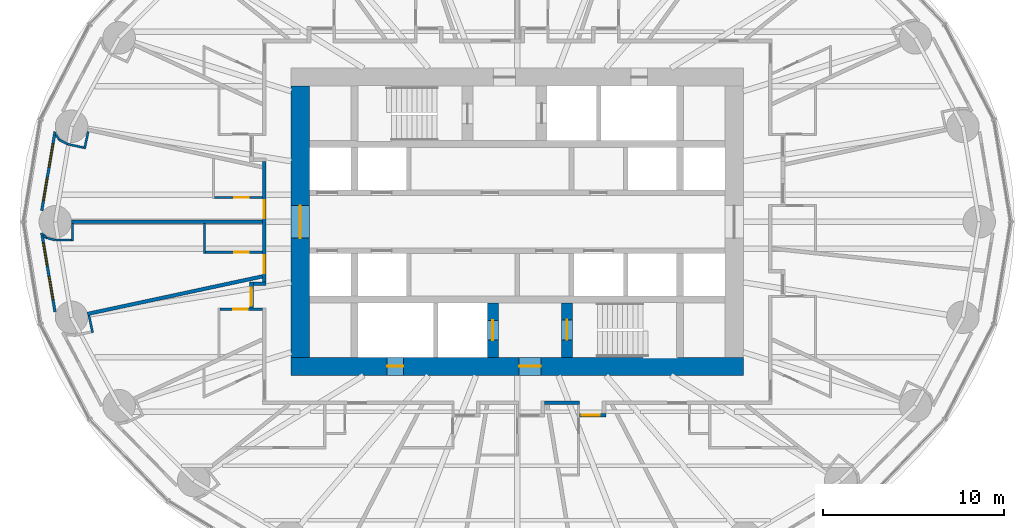
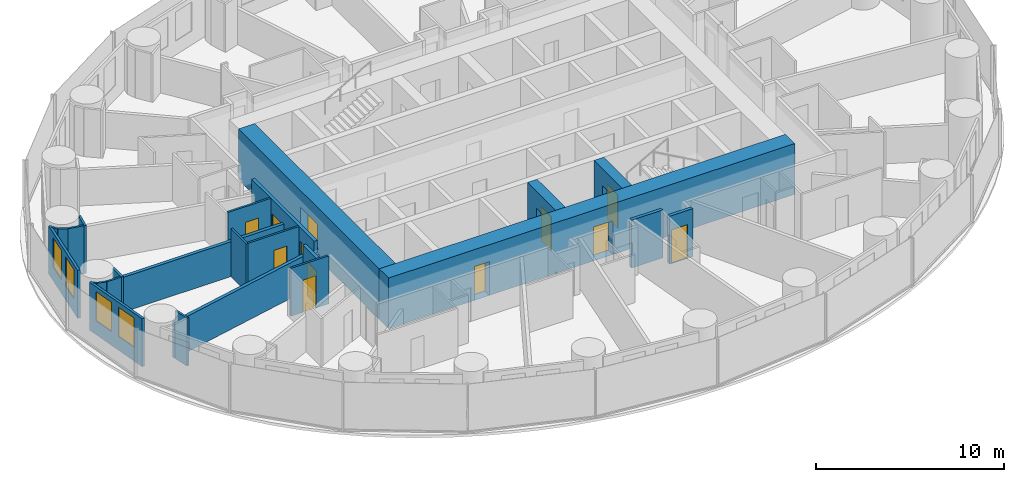
# One storey, part 7 of 14: 26 walls, 12 doors, 4 windows, 16 openings.
"""IFC4 building model written with IfcOpenShell, lengths in metres."""

from ifc_helpers import new_model, si_unit, direction, frame, frame_2d, origin, place, context, subcontext, project, spatial, rectangle, extrude, material, layer, layer_set, type_object, element, fill, save


model = new_model("IFC4")

# Units and contexts
model_context = context("Model", 3, precision=1e-05, world=origin(), true_north=direction((0.0, 1.0)))
body_context = subcontext(model_context, "Body", "Model", "MODEL_VIEW")
ifc_project = project(units=[si_unit("LENGTHUNIT", "METRE"), si_unit("AREAUNIT", "SQUARE_METRE"), si_unit("VOLUMEUNIT", "CUBIC_METRE"), si_unit("PLANEANGLEUNIT", "RADIAN"), si_unit("MASSUNIT", "GRAM", prefix="KILO")], contexts=[model_context])

# Site, building, storey
site_placement = place(None, origin())
site = spatial("IfcSite", under=ifc_project, at=site_placement, CompositionType="ELEMENT")
building_placement = place(site_placement, origin())
building = spatial("IfcBuilding", under=site, at=building_placement, Name="Hankou Lantern Tower", CompositionType="ELEMENT")
storey_placement = place(building_placement, frame((0.0, 0.0, 36.0)))
storey = spatial("IfcBuildingStorey", under=building, at=storey_placement, Name="L07", CompositionType="ELEMENT", Elevation=36.0)

# Wall, openings, doors
ifc_material_1 = material(Name="Concrete C60", Category="concrete")
ifc_layer_1 = layer(ifc_material_1, 1.0)
ifc_layer_set_1 = layer_set([ifc_layer_1], Name="Concrete C60")
wall_type_1 = type_object("IfcWallType", Name="CW1 CORE WALL 1000", PredefinedType="SHEAR", material=ifc_layer_set_1)
wall_1_placement = place(storey_placement, frame((12.5, -8.0, 0.0), z_axis=(0.0, 0.0, 1.0), x_axis=(-1.0, 0.0, 0.0)))
wall_1 = element("IfcWall", 1, at=wall_1_placement, inside=storey, type_object=wall_type_1, Name="Core wall south L07", PredefinedType="SHEAR", context=body_context, shape_type="SweptSolid", body=[
    extrude(rectangle(XDim=25.0, YDim=1.0, at=frame_2d((12.5, 0.0))), origin(), (0.0, 0.0, 1.0), 3.300048828125),
])
opening_1_placement = place(wall_1_placement, frame((11.199951171875, 0.0, 0.0)))
opening_1 = element("IfcOpeningElement", 2, at=opening_1_placement, cuts=wall_1, Name="Opening D5", PredefinedType="OPENING", context=body_context, shape_type="SweptSolid", body=[
    extrude(rectangle(XDim=1.199951171875, YDim=2.199951171875, at=frame_2d((0.60009765625, 1.10009765625))), frame((0.0, 0.510009765625, 0.0), z_axis=(0.0, -1.0, 0.0), x_axis=(1.0, 0.0, 0.0)), (0.0, 0.0, 1.0), 1.02001953125),
])
opening_2_placement = place(wall_1_placement, frame((18.800048828125, 0.0, 0.0)))
opening_2 = element("IfcOpeningElement", 3, at=opening_2_placement, cuts=wall_1, Name="Opening D7", PredefinedType="OPENING", context=body_context, shape_type="SweptSolid", body=[
    extrude(rectangle(XDim=0.89990234375, YDim=2.199951171875, at=frame_2d((0.449951171875, 1.10009765625))), frame((0.0, 0.510009765625, 0.0), z_axis=(0.0, -1.0, 0.0), x_axis=(1.0, 0.0, 0.0)), (0.0, 0.0, 1.0), 1.02001953125),
])
ifc_material_2 = material(Name="Steel door leaf", Category="steel")
door_type_1 = type_object("IfcDoorType", Name="D5 STAIR LOBBY DOOR 1200X2200", OperationType="SINGLE_SWING_LEFT", PredefinedType="DOOR", material=ifc_material_2)
door_1_placement = place(opening_1_placement, origin())
door_1 = element("IfcDoor", 4, at=door_1_placement, inside=storey, type_object=door_type_1, Name="Stair B lobby door", OperationType="SINGLE_SWING_LEFT", OverallHeight=2.199951171875, OverallWidth=1.199951171875, PredefinedType="DOOR", context=body_context, shape_type="SweptSolid", body=[
    extrude(rectangle(XDim=1.199951171875, YDim=2.199951171875, at=frame_2d((0.60009765625, 1.10009765625))), frame((0.0, 0.02490234375, 0.0), z_axis=(0.0, -1.0, 0.0), x_axis=(1.0, 0.0, 0.0)), (0.0, 0.0, 1.0), 0.050048828125),
])
fill(opening_1, door_1)
ifc_material_3 = material(Name="Steel door leaf", Category="steel")
door_type_2 = type_object("IfcDoorType", Name="D7 RISER DOOR 900X2200", OperationType="SINGLE_SWING_LEFT", PredefinedType="DOOR", material=ifc_material_3)
door_2_placement = place(opening_2_placement, origin())
door_2 = element("IfcDoor", 5, at=door_2_placement, inside=storey, type_object=door_type_2, Name="Riser S1 door", OperationType="SINGLE_SWING_RIGHT", OverallHeight=2.199951171875, OverallWidth=0.89990234375, PredefinedType="DOOR", context=body_context, shape_type="SweptSolid", body=[
    extrude(rectangle(XDim=0.89990234375, YDim=2.199951171875, at=frame_2d((0.449951171875, 1.10009765625))), frame((0.0, 0.02490234375, 0.0), z_axis=(0.0, -1.0, 0.0), x_axis=(1.0, 0.0, 0.0)), (0.0, 0.0, 1.0), 0.050048828125),
])
fill(opening_2, door_2)

# Wall, opening, door
wall_2_placement = place(storey_placement, frame((-12.0, 7.5, 0.0), z_axis=(0.0, 0.0, 1.0), x_axis=(0.0, -1.0, 0.0)))
wall_2 = element("IfcWall", 6, at=wall_2_placement, inside=storey, type_object=wall_type_1, Name="Core wall west L07", PredefinedType="SHEAR", context=body_context, shape_type="SweptSolid", body=[
    extrude(rectangle(XDim=15.0, YDim=1.0, at=frame_2d((7.5, 0.0))), origin(), (0.0, 0.0, 1.0), 3.300048828125),
])
opening_3_placement = place(wall_2_placement, frame((6.60009765625, 0.0, 0.0)))
opening_3 = element("IfcOpeningElement", 7, at=opening_3_placement, cuts=wall_2, Name="Opening D6", PredefinedType="OPENING", context=body_context, shape_type="SweptSolid", body=[
    extrude(rectangle(XDim=1.800048828125, YDim=2.199951171875, at=frame_2d((0.89990234375, 1.10009765625))), frame((0.0, 0.510009765625, 0.0), z_axis=(0.0, -1.0, 0.0), x_axis=(1.0, 0.0, 0.0)), (0.0, 0.0, 1.0), 1.02001953125),
])
ifc_material_4 = material(Name="Steel door leaf", Category="steel")
door_type_3 = type_object("IfcDoorType", Name="D6 LIFT LOBBY DOOR 1800X2200", OperationType="DOUBLE_DOOR_DOUBLE_SWING", PredefinedType="DOOR", material=ifc_material_4)
door_3_placement = place(opening_3_placement, origin())
door_3 = element("IfcDoor", 8, at=door_3_placement, inside=storey, type_object=door_type_3, Name="Lift lobby west door", OperationType="DOUBLE_DOOR_DOUBLE_SWING", OverallHeight=2.199951171875, OverallWidth=1.800048828125, PredefinedType="DOOR", context=body_context, shape_type="SweptSolid", body=[
    extrude(rectangle(XDim=1.800048828125, YDim=2.199951171875, at=frame_2d((0.89990234375, 1.10009765625))), frame((0.0, 0.02490234375, 0.0), z_axis=(0.0, -1.0, 0.0), x_axis=(1.0, 0.0, 0.0)), (0.0, 0.0, 1.0), 0.050048828125),
])
fill(opening_3, door_3)

ifc_material_5 = material(Name="Concrete C60", Category="concrete")
ifc_layer_2 = layer(ifc_material_5, 0.60009765625)
ifc_layer_set_2 = layer_set([ifc_layer_2], Name="Concrete C60")
wall_type_2 = type_object("IfcWallType", Name="CW6 STAIR AND SHAFT WALL 600", PredefinedType="SHEAR", material=ifc_layer_set_2)
wall_3_placement = place(storey_placement, frame((2.75, -7.5, 0.0), z_axis=(0.0, 0.0, 1.0), x_axis=(0.0, 1.0, 0.0)))
wall_3 = element("IfcWall", 9, at=wall_3_placement, inside=storey, type_object=wall_type_2, Name="Stair wall L07", PredefinedType="SHEAR", context=body_context, shape_type="SweptSolid", body=[
    extrude(rectangle(XDim=3.0, YDim=0.60009765625, at=frame_2d((1.5, 0.0))), origin(), (0.0, 0.0, 1.0), 3.300048828125),
])
opening_4_placement = place(wall_3_placement, frame((0.97509765625, 0.0, 0.0)))
opening_4 = element("IfcOpeningElement", 10, at=opening_4_placement, cuts=wall_3, Name="Opening D4", PredefinedType="OPENING", context=body_context, shape_type="SweptSolid", body=[
    extrude(rectangle(XDim=1.10009765625, YDim=2.199951171875, at=frame_2d((0.550048828125, 1.10009765625))), frame((0.0, 0.31005859375, 0.0), z_axis=(0.0, -1.0, 0.0), x_axis=(1.0, 0.0, 0.0)), (0.0, 0.0, 1.0), 0.6201171875),
])
ifc_material_6 = material(Name="Steel door leaf", Category="steel")
door_type_4 = type_object("IfcDoorType", Name="D4 STAIR DOOR 1100X2200", OperationType="SINGLE_SWING_LEFT", PredefinedType="DOOR", material=ifc_material_6)
door_4_placement = place(opening_4_placement, origin())
door_4 = element("IfcDoor", 11, at=door_4_placement, inside=storey, type_object=door_type_4, Name="Stair B door", OperationType="SINGLE_SWING_RIGHT", OverallHeight=2.199951171875, OverallWidth=1.10009765625, PredefinedType="DOOR", context=body_context, shape_type="SweptSolid", body=[
    extrude(rectangle(XDim=1.10009765625, YDim=2.199951171875, at=frame_2d((0.550048828125, 1.10009765625))), frame((0.0, 0.02490234375, 0.0), z_axis=(0.0, -1.0, 0.0), x_axis=(1.0, 0.0, 0.0)), (0.0, 0.0, 1.0), 0.050048828125),
])
fill(opening_4, door_4)

wall_4_placement = place(storey_placement, frame((-1.35009765625, -7.5, 0.0), z_axis=(0.0, 0.0, 1.0), x_axis=(0.0, 1.0, 0.0)))
wall_4 = element("IfcWall", 12, at=wall_4_placement, inside=storey, type_object=wall_type_2, Name="Firefighting lift shaft wall L07", PredefinedType="SHEAR", context=body_context, shape_type="SweptSolid", body=[
    extrude(rectangle(XDim=3.0, YDim=0.60009765625, at=frame_2d((1.5, 0.0))), origin(), (0.0, 0.0, 1.0), 3.300048828125),
])
opening_5_placement = place(wall_4_placement, frame((0.949951171875, 0.0, 0.0)))
opening_5 = element("IfcOpeningElement", 13, at=opening_5_placement, cuts=wall_4, Name="Opening LD2", PredefinedType="OPENING", context=body_context, shape_type="SweptSolid", body=[
    extrude(rectangle(XDim=1.10009765625, YDim=2.199951171875, at=frame_2d((0.550048828125, 1.10009765625))), frame((0.0, 0.31005859375, 0.0), z_axis=(0.0, -1.0, 0.0), x_axis=(1.0, 0.0, 0.0)), (0.0, 0.0, 1.0), 0.6201171875),
])
ifc_material_7 = material(Name="Steel door leaf", Category="steel")
door_type_5 = type_object("IfcDoorType", Name="LD2 FIREFIGHTING LIFT LANDING DOOR 1100X2200", OperationType="DOUBLE_DOOR_SLIDING", PredefinedType="DOOR", material=ifc_material_7)
door_5_placement = place(opening_5_placement, origin())
door_5 = element("IfcDoor", 14, at=door_5_placement, inside=storey, type_object=door_type_5, Name="Firefighting lift FL2 landing door", OperationType="DOUBLE_DOOR_SLIDING", OverallHeight=2.199951171875, OverallWidth=1.10009765625, PredefinedType="DOOR", context=body_context, shape_type="SweptSolid", body=[
    extrude(rectangle(XDim=1.10009765625, YDim=2.199951171875, at=frame_2d((0.550048828125, 1.10009765625))), frame((0.0, 0.02490234375, 0.0), z_axis=(0.0, -1.0, 0.0), x_axis=(1.0, 0.0, 0.0)), (0.0, 0.0, 1.0), 0.050048828125),
])
fill(opening_5, door_5)

# Wall, openings, windows
ifc_material_8 = material(Name="Aluminium spandrel panel on steel studs", Category="steel")
ifc_layer_3 = layer(ifc_material_8, 0.14990234375)
ifc_layer_set_3 = layer_set([ifc_layer_3], Name="Aluminium spandrel panel on steel studs")
wall_type_3 = type_object("IfcWallType", Name="EW1 INNER SKIN WALL 150", PredefinedType="ELEMENTEDWALL", material=ifc_layer_set_3)
wall_5_placement = place(storey_placement, frame((-25.56396484375, 4.9775390625, 0.0), z_axis=(0.0, 0.0, 1.0), x_axis=(-0.165641751141, -0.986185991727, 0.0)))
wall_5 = element("IfcWall", 15, at=wall_5_placement, inside=storey, type_object=wall_type_3, Name="Inner skin R12-R13 L07", PredefinedType="ELEMENTEDWALL", context=body_context, shape_type="SweptSolid", body=[
    extrude(rectangle(XDim=4.427734375, YDim=0.14990234375, at=frame_2d((2.2138671875, 0.0))), origin(), (0.0, 0.0, 1.0), 3.1201171875),
])
opening_6_placement = place(wall_5_placement, frame((0.677734375, 0.0, 0.89990234375)))
opening_6 = element("IfcOpeningElement", 16, at=opening_6_placement, cuts=wall_5, Name="Opening W9", PredefinedType="OPENING", context=body_context, shape_type="SweptSolid", body=[
    extrude(rectangle(XDim=1.300048828125, YDim=1.89990234375, at=frame_2d((0.64990234375, 0.949951171875))), frame((0.0, 0.0849609375, 0.0), z_axis=(0.0, -1.0, 0.0), x_axis=(1.0, 0.0, 0.0)), (0.0, 0.0, 1.0), 0.169921875),
])
opening_7_placement = place(wall_5_placement, frame((2.57763671875, 0.0, 0.89990234375)))
opening_7 = element("IfcOpeningElement", 17, at=opening_7_placement, cuts=wall_5, Name="Opening W9", PredefinedType="OPENING", context=body_context, shape_type="SweptSolid", body=[
    extrude(rectangle(XDim=1.300048828125, YDim=1.89990234375, at=frame_2d((0.64990234375, 0.949951171875))), frame((0.0, 0.0849609375, 0.0), z_axis=(0.0, -1.0, 0.0), x_axis=(1.0, 0.0, 0.0)), (0.0, 0.0, 1.0), 0.169921875),
])
ifc_material_9 = material(Name="Aluminium framed double glazed window", Category="aluminium")
window_type = type_object("IfcWindowType", Name="W9 GUEST ROOM WINDOW 1300X1900", PartitioningType="DOUBLE_PANEL_VERTICAL", PredefinedType="WINDOW", material=ifc_material_9)
window_1_placement = place(opening_6_placement, origin())
window_1 = element("IfcWindow", 18, at=window_1_placement, inside=storey, type_object=window_type, Name="Window R12.1 L07", OverallHeight=1.89990234375, OverallWidth=1.300048828125, PartitioningType="SINGLE_PANEL", PredefinedType="WINDOW", context=body_context, shape_type="SweptSolid", body=[
    extrude(rectangle(XDim=1.300048828125, YDim=1.89990234375, at=frame_2d((0.64990234375, 0.949951171875))), frame((0.0, 0.030029296875, 0.0), z_axis=(0.0, -1.0, 0.0), x_axis=(1.0, 0.0, 0.0)), (0.0, 0.0, 1.0), 0.06005859375),
])
fill(opening_6, window_1)
window_2_placement = place(opening_7_placement, origin())
window_2 = element("IfcWindow", 19, at=window_2_placement, inside=storey, type_object=window_type, Name="Window R12.2 L07", OverallHeight=1.89990234375, OverallWidth=1.300048828125, PartitioningType="SINGLE_PANEL", PredefinedType="WINDOW", context=body_context, shape_type="SweptSolid", body=[
    extrude(rectangle(XDim=1.300048828125, YDim=1.89990234375, at=frame_2d((0.64990234375, 0.949951171875))), frame((0.0, 0.030029296875, 0.0), z_axis=(0.0, -1.0, 0.0), x_axis=(1.0, 0.0, 0.0)), (0.0, 0.0, 1.0), 0.06005859375),
])
fill(opening_7, window_2)

wall_6_placement = place(storey_placement, frame((-26.29736328125, -0.611083984375, 0.0), z_axis=(0.0, 0.0, 1.0), x_axis=(0.165641751141, -0.986185991727, 0.0)))
wall_6 = element("IfcWall", 20, at=wall_6_placement, inside=storey, type_object=wall_type_3, Name="Inner skin R13-R14 L07", PredefinedType="ELEMENTEDWALL", context=body_context, shape_type="SweptSolid", body=[
    extrude(rectangle(XDim=4.427734375, YDim=0.14990234375, at=frame_2d((2.2138671875, 0.0))), origin(), (0.0, 0.0, 1.0), 3.1201171875),
])
opening_8_placement = place(wall_6_placement, frame((0.5498046875, 0.0, 0.89990234375)))
opening_8 = element("IfcOpeningElement", 21, at=opening_8_placement, cuts=wall_6, Name="Opening W9", PredefinedType="OPENING", context=body_context, shape_type="SweptSolid", body=[
    extrude(rectangle(XDim=1.300048828125, YDim=1.89990234375, at=frame_2d((0.64990234375, 0.949951171875))), frame((0.0, 0.0849609375, 0.0), z_axis=(0.0, -1.0, 0.0), x_axis=(1.0, 0.0, 0.0)), (0.0, 0.0, 1.0), 0.169921875),
])
opening_9_placement = place(wall_6_placement, frame((2.44970703125, 0.0, 0.89990234375)))
opening_9 = element("IfcOpeningElement", 22, at=opening_9_placement, cuts=wall_6, Name="Opening W9", PredefinedType="OPENING", context=body_context, shape_type="SweptSolid", body=[
    extrude(rectangle(XDim=1.300048828125, YDim=1.89990234375, at=frame_2d((0.64990234375, 0.949951171875))), frame((0.0, 0.0849609375, 0.0), z_axis=(0.0, -1.0, 0.0), x_axis=(1.0, 0.0, 0.0)), (0.0, 0.0, 1.0), 0.169921875),
])
window_3_placement = place(opening_8_placement, origin())
window_3 = element("IfcWindow", 23, at=window_3_placement, inside=storey, type_object=window_type, Name="Window R13.1 L07", OverallHeight=1.89990234375, OverallWidth=1.300048828125, PartitioningType="SINGLE_PANEL", PredefinedType="WINDOW", context=body_context, shape_type="SweptSolid", body=[
    extrude(rectangle(XDim=1.300048828125, YDim=1.89990234375, at=frame_2d((0.64990234375, 0.949951171875))), frame((0.0, 0.030029296875, 0.0), z_axis=(0.0, -1.0, 0.0), x_axis=(1.0, 0.0, 0.0)), (0.0, 0.0, 1.0), 0.06005859375),
])
fill(opening_8, window_3)
window_4_placement = place(opening_9_placement, origin())
window_4 = element("IfcWindow", 24, at=window_4_placement, inside=storey, type_object=window_type, Name="Window R13.2 L07", OverallHeight=1.89990234375, OverallWidth=1.300048828125, PartitioningType="SINGLE_PANEL", PredefinedType="WINDOW", context=body_context, shape_type="SweptSolid", body=[
    extrude(rectangle(XDim=1.300048828125, YDim=1.89990234375, at=frame_2d((0.64990234375, 0.949951171875))), frame((0.0, 0.030029296875, 0.0), z_axis=(0.0, -1.0, 0.0), x_axis=(1.0, 0.0, 0.0)), (0.0, 0.0, 1.0), 0.06005859375),
])
fill(opening_9, window_4)

# Walls
ifc_material_10 = material(Name="Masonry lightweight concrete block", Category="masonry")
ifc_layer_4 = layer(ifc_material_10, 0.199951171875)
ifc_layer_set_4 = layer_set([ifc_layer_4], Name="Masonry lightweight concrete block")
wall_type_4 = type_object("IfcWallType", Name="IW1 GUEST ROOM PARTY WALL 200", PredefinedType="PARTITIONING", material=ifc_layer_set_4)
wall_7_placement = place(storey_placement, frame((-14.10009765625, 0.0, 0.0), z_axis=(0.0, 0.0, 1.0), x_axis=(-1.0, 0.0, 0.0)))
element("IfcWall", 25, at=wall_7_placement, inside=storey, type_object=wall_type_4, Name="Party wall R13", PredefinedType="PARTITIONING", context=body_context, shape_type="SweptSolid", body=[
    extrude(rectangle(XDim=10.5498046875, YDim=0.199951171875, at=frame_2d((5.27490234375, 0.0))), origin(), (0.0, 0.0, 1.0), 2.27001953125),
])
wall_8_placement = place(storey_placement, frame((-14.10009765625, -3.0224609375, 0.0), z_axis=(0.0, 0.0, 1.0), x_axis=(-0.977786510688, -0.209603290805, 0.0)))
element("IfcWall", 26, at=wall_8_placement, inside=storey, type_object=wall_type_4, Name="Party wall R14", PredefinedType="PARTITIONING", context=body_context, shape_type="SweptSolid", body=[
    extrude(rectangle(XDim=9.88671875, YDim=0.199951171875, at=frame_2d((4.943359375, 0.0))), origin(), (0.0, 0.0, 1.0), 2.320068359375),
])

# Wall, opening, door
ifc_material_11 = material(Name="Masonry lightweight concrete block", Category="masonry")
ifc_layer_5 = layer(ifc_material_11, 0.199951171875)
ifc_layer_set_5 = layer_set([ifc_layer_5], Name="Masonry lightweight concrete block")
wall_type_5 = type_object("IfcWallType", Name="IW2 CORRIDOR WALL 200", PredefinedType="PARTITIONING", material=ifc_layer_set_5)
wall_9_placement = place(storey_placement, frame((-14.699951171875, -3.33251953125, 0.0), z_axis=(0.0, 0.0, 1.0), x_axis=(0.0, -1.0, 0.0)))
wall_9 = element("IfcWall", 27, at=wall_9_placement, inside=storey, type_object=wall_type_5, Name="Corridor recess wall 0716 back", PredefinedType="PARTITIONING", context=body_context, shape_type="SweptSolid", body=[
    extrude(rectangle(XDim=1.43994140625, YDim=0.199951171875, at=frame_2d((0.719970703125, 0.0))), origin(), (0.0, 0.0, 1.0), 3.1201171875),
])
opening_10_placement = place(wall_9_placement, frame((0.320068359375, 0.0, 0.0)))
opening_10 = element("IfcOpeningElement", 28, at=opening_10_placement, cuts=wall_9, Name="Opening D1", PredefinedType="OPENING", context=body_context, shape_type="SweptSolid", body=[
    extrude(rectangle(XDim=1.0, YDim=2.199951171875, at=frame_2d((0.5, 1.10009765625))), frame((0.0, 0.10986328125, 0.0), z_axis=(0.0, -1.0, 0.0), x_axis=(1.0, 0.0, 0.0)), (0.0, 0.0, 1.0), 0.219970703125),
])
ifc_material_12 = material(Name="Steel door leaf", Category="steel")
door_type_6 = type_object("IfcDoorType", Name="D1 GUEST ROOM DOOR 1000X2200", OperationType="SINGLE_SWING_LEFT", PredefinedType="DOOR", material=ifc_material_12)
door_6_placement = place(opening_10_placement, origin())
door_6 = element("IfcDoor", 29, at=door_6_placement, inside=storey, type_object=door_type_6, Name="Guest room door 0716", OperationType="SINGLE_SWING_RIGHT", OverallHeight=2.199951171875, OverallWidth=1.0, PredefinedType="DOOR", context=body_context, shape_type="SweptSolid", body=[
    extrude(rectangle(XDim=1.0, YDim=2.199951171875, at=frame_2d((0.5, 1.10009765625))), frame((0.0, 0.02490234375, 0.0), z_axis=(0.0, -1.0, 0.0), x_axis=(1.0, 0.0, 0.0)), (0.0, 0.0, 1.0), 0.050048828125),
])
fill(opening_10, door_6)

# Wall
wall_10_placement = place(storey_placement, frame((-13.89990234375, -3.4326171875, 0.0), z_axis=(0.0, 0.0, 1.0), x_axis=(-1.0, 0.0, 0.0)))
element("IfcWall", 30, at=wall_10_placement, inside=storey, type_object=wall_type_5, Name="Corridor recess wall 0716 side", PredefinedType="PARTITIONING", context=body_context, shape_type="SweptSolid", body=[
    extrude(rectangle(XDim=0.7001953125, YDim=0.199951171875, at=frame_2d((0.35009765625, 0.0))), origin(), (0.0, 0.0, 1.0), 2.320068359375),
])

# Wall, opening, door
wall_11_placement = place(storey_placement, frame((4.89501953125, -10.699951171875, 0.0), z_axis=(0.0, 0.0, 1.0), x_axis=(-1.0, 0.0, 0.0)))
wall_11 = element("IfcWall", 31, at=wall_11_placement, inside=storey, type_object=wall_type_5, Name="Corridor recess wall 0721 back", PredefinedType="PARTITIONING", context=body_context, shape_type="SweptSolid", body=[
    extrude(rectangle(XDim=1.43994140625, YDim=0.199951171875, at=frame_2d((0.719970703125, 0.0))), origin(), (0.0, 0.0, 1.0), 3.1201171875),
])
opening_11_placement = place(wall_11_placement, frame((0.320068359375, 0.0, 0.0)))
opening_11 = element("IfcOpeningElement", 32, at=opening_11_placement, cuts=wall_11, Name="Opening D1", PredefinedType="OPENING", context=body_context, shape_type="SweptSolid", body=[
    extrude(rectangle(XDim=1.0, YDim=2.199951171875, at=frame_2d((0.5, 1.10009765625))), frame((0.0, 0.10986328125, 0.0), z_axis=(0.0, -1.0, 0.0), x_axis=(1.0, 0.0, 0.0)), (0.0, 0.0, 1.0), 0.219970703125),
])
door_7_placement = place(opening_11_placement, origin())
door_7 = element("IfcDoor", 33, at=door_7_placement, inside=storey, type_object=door_type_6, Name="Guest room door 0721", OperationType="SINGLE_SWING_RIGHT", OverallHeight=2.199951171875, OverallWidth=1.0, PredefinedType="DOOR", context=body_context, shape_type="SweptSolid", body=[
    extrude(rectangle(XDim=1.0, YDim=2.199951171875, at=frame_2d((0.5, 1.10009765625))), frame((0.0, 0.02490234375, 0.0), z_axis=(0.0, -1.0, 0.0), x_axis=(1.0, 0.0, 0.0)), (0.0, 0.0, 1.0), 0.050048828125),
])
fill(opening_11, door_7)

# Wall, openings, doors
wall_12_placement = place(storey_placement, frame((-14.0, 3.33251953125, 0.0), z_axis=(0.0, 0.0, 1.0), x_axis=(0.0, -1.0, 0.0)))
wall_12 = element("IfcWall", 34, at=wall_12_placement, inside=storey, type_object=wall_type_5, Name="Corridor wall west", PredefinedType="PARTITIONING", context=body_context, shape_type="SweptSolid", body=[
    extrude(rectangle(XDim=6.6650390625, YDim=0.199951171875, at=frame_2d((3.33251953125, 0.0))), origin(), (0.0, 0.0, 1.0), 3.1201171875),
])
opening_12_placement = place(wall_12_placement, frame((2.14990234375, 0.0, 0.0)))
opening_12 = element("IfcOpeningElement", 35, at=opening_12_placement, cuts=wall_12, Name="Opening D1", PredefinedType="OPENING", context=body_context, shape_type="SweptSolid", body=[
    extrude(rectangle(XDim=1.0, YDim=2.199951171875, at=frame_2d((0.5, 1.10009765625))), frame((0.0, 0.10986328125, 0.0), z_axis=(0.0, -1.0, 0.0), x_axis=(1.0, 0.0, 0.0)), (0.0, 0.0, 1.0), 0.219970703125),
])
opening_13_placement = place(wall_12_placement, frame((5.172607421875, 0.0, 0.0)))
opening_13 = element("IfcOpeningElement", 36, at=opening_13_placement, cuts=wall_12, Name="Opening D1", PredefinedType="OPENING", context=body_context, shape_type="SweptSolid", body=[
    extrude(rectangle(XDim=1.0, YDim=2.199951171875, at=frame_2d((0.5, 1.10009765625))), frame((0.0, 0.10986328125, 0.0), z_axis=(0.0, -1.0, 0.0), x_axis=(1.0, 0.0, 0.0)), (0.0, 0.0, 1.0), 0.219970703125),
])
door_8_placement = place(opening_12_placement, origin())
door_8 = element("IfcDoor", 37, at=door_8_placement, inside=storey, type_object=door_type_6, Name="Guest room door 0714", OperationType="SINGLE_SWING_LEFT", OverallHeight=2.199951171875, OverallWidth=1.0, PredefinedType="DOOR", context=body_context, shape_type="SweptSolid", body=[
    extrude(rectangle(XDim=1.0, YDim=2.199951171875, at=frame_2d((0.5, 1.10009765625))), frame((0.0, 0.02490234375, 0.0), z_axis=(0.0, -1.0, 0.0), x_axis=(1.0, 0.0, 0.0)), (0.0, 0.0, 1.0), 0.050048828125),
])
fill(opening_12, door_8)
door_9_placement = place(opening_13_placement, origin())
door_9 = element("IfcDoor", 38, at=door_9_placement, inside=storey, type_object=door_type_6, Name="Guest room door 0715", OperationType="SINGLE_SWING_RIGHT", OverallHeight=2.199951171875, OverallWidth=1.0, PredefinedType="DOOR", context=body_context, shape_type="SweptSolid", body=[
    extrude(rectangle(XDim=1.0, YDim=2.199951171875, at=frame_2d((0.5, 1.10009765625))), frame((0.0, 0.02490234375, 0.0), z_axis=(0.0, -1.0, 0.0), x_axis=(1.0, 0.0, 0.0)), (0.0, 0.0, 1.0), 0.050048828125),
])
fill(opening_13, door_9)

# Wall
wall_13_placement = place(storey_placement, frame((3.455078125, -10.0, 0.0), z_axis=(0.0, 0.0, 1.0), x_axis=(-1.0, 0.0, 0.0)))
element("IfcWall", 39, at=wall_13_placement, inside=storey, type_object=wall_type_5, Name="Corridor wall south", PredefinedType="PARTITIONING", context=body_context, shape_type="SweptSolid", body=[
    extrude(rectangle(XDim=1.93994140625, YDim=0.199951171875, at=frame_2d((0.969970703125, 0.0))), origin(), (0.0, 0.0, 1.0), 3.1201171875),
])

# Wall, opening, door
ifc_material_13 = material(Name="Masonry lightweight concrete block", Category="masonry")
ifc_layer_6 = layer(ifc_material_13, 0.1201171875)
ifc_layer_set_6 = layer_set([ifc_layer_6], Name="Masonry lightweight concrete block")
wall_type_6 = type_object("IfcWallType", Name="IW3 BATHROOM WALL 120", PredefinedType="PARTITIONING", material=ifc_layer_set_6)
wall_14_placement = place(storey_placement, frame((-14.10009765625, 1.342529296875, 0.0), z_axis=(0.0, 0.0, 1.0), x_axis=(-1.0, 0.0, 0.0)))
wall_14 = element("IfcWall", 40, at=wall_14_placement, inside=storey, type_object=wall_type_6, Name="Box wall 0714 1", PredefinedType="PARTITIONING", context=body_context, shape_type="SweptSolid", body=[
    extrude(rectangle(XDim=2.639892578125, YDim=0.1201171875, at=frame_2d((1.31982421875, 0.0))), origin(), (0.0, 0.0, 1.0), 3.1201171875),
])
opening_14_placement = place(wall_14_placement, frame((0.75, 0.0, 0.0)))
opening_14 = element("IfcOpeningElement", 41, at=opening_14_placement, cuts=wall_14, Name="Opening D3", PredefinedType="OPENING", context=body_context, shape_type="SweptSolid", body=[
    extrude(rectangle(XDim=0.800048828125, YDim=2.10009765625, at=frame_2d((0.39990234375, 1.050048828125))), frame((0.0, 0.070068359375, 0.0), z_axis=(0.0, -1.0, 0.0), x_axis=(1.0, 0.0, 0.0)), (0.0, 0.0, 1.0), 0.14013671875),
])
ifc_material_14 = material(Name="Timber door leaf", Category="wood")
door_type_7 = type_object("IfcDoorType", Name="D3 BATHROOM DOOR 800X2100", OperationType="SINGLE_SWING_LEFT", PredefinedType="DOOR", material=ifc_material_14)
door_10_placement = place(opening_14_placement, origin())
door_10 = element("IfcDoor", 42, at=door_10_placement, inside=storey, type_object=door_type_7, Name="En-suite bathroom 0714 door", OperationType="SINGLE_SWING_LEFT", OverallHeight=2.10009765625, OverallWidth=0.800048828125, PredefinedType="DOOR", context=body_context, shape_type="SweptSolid", body=[
    extrude(rectangle(XDim=0.800048828125, YDim=2.10009765625, at=frame_2d((0.39990234375, 1.050048828125))), frame((0.0, 0.02490234375, 0.0), z_axis=(0.0, -1.0, 0.0), x_axis=(1.0, 0.0, 0.0)), (0.0, 0.0, 1.0), 0.050048828125),
])
fill(opening_14, door_10)

# Wall
wall_15_placement = place(storey_placement, frame((-17.300048828125, -0.10009765625, 0.0), z_axis=(0.0, 0.0, 1.0), x_axis=(0.0, -1.0, 0.0)))
element("IfcWall", 43, at=wall_15_placement, inside=storey, type_object=wall_type_6, Name="Box wall 0715 1", PredefinedType="PARTITIONING", context=body_context, shape_type="SweptSolid", body=[
    extrude(rectangle(XDim=1.639892578125, YDim=0.1201171875, at=frame_2d((0.81982421875, 0.0))), origin(), (0.0, 0.0, 1.0), 3.1201171875),
])

# Wall, opening, door
wall_16_placement = place(storey_placement, frame((-14.10009765625, -1.679931640625, 0.0), z_axis=(0.0, 0.0, 1.0), x_axis=(-1.0, 0.0, 0.0)))
wall_16 = element("IfcWall", 44, at=wall_16_placement, inside=storey, type_object=wall_type_6, Name="Box wall 0715 1", PredefinedType="PARTITIONING", context=body_context, shape_type="SweptSolid", body=[
    extrude(rectangle(XDim=3.139892578125, YDim=0.1201171875, at=frame_2d((1.56982421875, 0.0))), origin(), (0.0, 0.0, 1.0), 3.1201171875),
])
opening_15_placement = place(wall_16_placement, frame((0.75, 0.0, 0.0)))
opening_15 = element("IfcOpeningElement", 45, at=opening_15_placement, cuts=wall_16, Name="Opening D3", PredefinedType="OPENING", context=body_context, shape_type="SweptSolid", body=[
    extrude(rectangle(XDim=0.800048828125, YDim=2.10009765625, at=frame_2d((0.39990234375, 1.050048828125))), frame((0.0, 0.070068359375, 0.0), z_axis=(0.0, -1.0, 0.0), x_axis=(1.0, 0.0, 0.0)), (0.0, 0.0, 1.0), 0.14013671875),
])
door_11_placement = place(opening_15_placement, origin())
door_11 = element("IfcDoor", 46, at=door_11_placement, inside=storey, type_object=door_type_7, Name="En-suite bathroom 0715 door", OperationType="SINGLE_SWING_LEFT", OverallHeight=2.10009765625, OverallWidth=0.800048828125, PredefinedType="DOOR", context=body_context, shape_type="SweptSolid", body=[
    extrude(rectangle(XDim=0.800048828125, YDim=2.10009765625, at=frame_2d((0.39990234375, 1.050048828125))), frame((0.0, 0.02490234375, 0.0), z_axis=(0.0, -1.0, 0.0), x_axis=(1.0, 0.0, 0.0)), (0.0, 0.0, 1.0), 0.050048828125),
])
fill(opening_15, door_11)

wall_17_placement = place(storey_placement, frame((-14.10009765625, -4.83251953125, 0.0), z_axis=(0.0, 0.0, 1.0), x_axis=(-1.0, 0.0, 0.0)))
wall_17 = element("IfcWall", 47, at=wall_17_placement, inside=storey, type_object=wall_type_6, Name="Box wall 0716 1", PredefinedType="PARTITIONING", context=body_context, shape_type="SweptSolid", body=[
    extrude(rectangle(XDim=2.33984375, YDim=0.1201171875, at=frame_2d((1.169921875, 0.0))), origin(), (0.0, 0.0, 1.0), 3.1201171875),
])
opening_16_placement = place(wall_17_placement, frame((0.800048828125, 0.0, 0.0)))
opening_16 = element("IfcOpeningElement", 48, at=opening_16_placement, cuts=wall_17, Name="Opening D3", PredefinedType="OPENING", context=body_context, shape_type="SweptSolid", body=[
    extrude(rectangle(XDim=0.800048828125, YDim=2.10009765625, at=frame_2d((0.39990234375, 1.050048828125))), frame((0.0, 0.070068359375, 0.0), z_axis=(0.0, -1.0, 0.0), x_axis=(1.0, 0.0, 0.0)), (0.0, 0.0, 1.0), 0.14013671875),
])
door_12_placement = place(opening_16_placement, origin())
door_12 = element("IfcDoor", 49, at=door_12_placement, inside=storey, type_object=door_type_7, Name="En-suite bathroom 0716 door", OperationType="SINGLE_SWING_RIGHT", OverallHeight=2.10009765625, OverallWidth=0.800048828125, PredefinedType="DOOR", context=body_context, shape_type="SweptSolid", body=[
    extrude(rectangle(XDim=0.800048828125, YDim=2.10009765625, at=frame_2d((0.39990234375, 1.050048828125))), frame((0.0, 0.02490234375, 0.0), z_axis=(0.0, -1.0, 0.0), x_axis=(1.0, 0.0, 0.0)), (0.0, 0.0, 1.0), 0.050048828125),
])
fill(opening_16, door_12)

# Walls
ifc_material_15 = material(Name="Masonry lightweight concrete block", Category="masonry")
ifc_layer_7 = layer(ifc_material_15, 0.1201171875)
ifc_layer_set_7 = layer_set([ifc_layer_7], Name="Masonry lightweight concrete block")
wall_type_7 = type_object("IfcWallType", Name="IW4 PARTITION 120", PredefinedType="PARTITIONING", material=ifc_layer_set_7)
wall_18_placement = place(storey_placement, frame((-23.729248046875, 4.984375, 0.0), z_axis=(0.0, 0.0, 1.0), x_axis=(-0.20968306268, -0.977769406979, 0.0)))
element("IfcWall", 50, at=wall_18_placement, inside=storey, type_object=wall_type_7, Name="Column casing R12 return", PredefinedType="PARTITIONING", context=body_context, shape_type="SweptSolid", body=[
    extrude(rectangle(XDim=0.974609375, YDim=0.1201171875, at=frame_2d((0.4873046875, 0.0))), origin(), (0.0, 0.0, 1.0), 3.1201171875),
])
wall_19_placement = place(storey_placement, frame((-23.979736328125, 4.1025390625, 0.0), z_axis=(0.0, 0.0, 1.0), x_axis=(-0.977762694187, 0.209714362543, 0.0)))
element("IfcWall", 51, at=wall_19_placement, inside=storey, type_object=wall_type_7, Name="Column casing R12", PredefinedType="PARTITIONING", context=body_context, shape_type="SweptSolid", body=[
    extrude(rectangle(XDim=0.89990234375, YDim=0.1201171875, at=frame_2d((0.449951171875, 0.0))), origin(), (0.0, 0.0, 1.0), 3.1201171875),
])
wall_20_placement = place(storey_placement, frame((-24.859619140625, 4.291259765625, 0.0), z_axis=(0.0, 0.0, 1.0), x_axis=(-0.890204323062, 0.455561481254, 0.0)))
element("IfcWall", 52, at=wall_20_placement, inside=storey, type_object=wall_type_7, Name="Column casing R12", PredefinedType="PARTITIONING", context=body_context, shape_type="SweptSolid", body=[
    extrude(rectangle(XDim=0.525146484375, YDim=0.1201171875, at=frame_2d((0.2626953125, 0.0))), origin(), (0.0, 0.0, 1.0), 3.1201171875),
])
wall_21_placement = place(storey_placement, frame((-25.3271484375, 4.530517578125, 0.0), z_axis=(0.0, 0.0, 1.0), x_axis=(-0.543516034791, 0.839398784801, 0.0)))
element("IfcWall", 53, at=wall_21_placement, inside=storey, type_object=wall_type_7, Name="Column casing R12", PredefinedType="PARTITIONING", context=body_context, shape_type="SweptSolid", body=[
    extrude(rectangle(XDim=0.343994140625, YDim=0.1201171875, at=frame_2d((0.171875, 0.0))), origin(), (0.0, 0.0, 1.0), 3.1201171875),
])
wall_22_placement = place(storey_placement, frame((-24.590087890625, -0.10009765625, 0.0), z_axis=(0.0, 0.0, 1.0), x_axis=(0.0, -1.0, 0.0)))
element("IfcWall", 54, at=wall_22_placement, inside=storey, type_object=wall_type_7, Name="Column casing R13 return", PredefinedType="PARTITIONING", context=body_context, shape_type="SweptSolid", body=[
    extrude(rectangle(XDim=0.974365234375, YDim=0.1201171875, at=frame_2d((0.4873046875, 0.0))), origin(), (0.0, 0.0, 1.0), 3.1201171875),
])
wall_23_placement = place(storey_placement, frame((-24.64990234375, -1.0146484375, 0.0), z_axis=(0.0, 0.0, 1.0), x_axis=(-1.0, 0.0, 0.0)))
element("IfcWall", 55, at=wall_23_placement, inside=storey, type_object=wall_type_7, Name="Column casing R13", PredefinedType="PARTITIONING", context=body_context, shape_type="SweptSolid", body=[
    extrude(rectangle(XDim=0.900146484375, YDim=0.1201171875, at=frame_2d((0.4501953125, 0.0))), origin(), (0.0, 0.0, 1.0), 3.1201171875),
])
wall_24_placement = place(storey_placement, frame((-25.550048828125, -1.0146484375, 0.0), z_axis=(0.0, 0.0, 1.0), x_axis=(-0.96590239779, 0.258906465625, 0.0)))
element("IfcWall", 56, at=wall_24_placement, inside=storey, type_object=wall_type_7, Name="Column casing R13", PredefinedType="PARTITIONING", context=body_context, shape_type="SweptSolid", body=[
    extrude(rectangle(XDim=0.525146484375, YDim=0.1201171875, at=frame_2d((0.2626953125, 0.0))), origin(), (0.0, 0.0, 1.0), 3.1201171875),
])
wall_25_placement = place(storey_placement, frame((-26.057373046875, -0.878662109375, 0.0), z_axis=(0.0, 0.0, 1.0), x_axis=(-0.707106781187, 0.707106781187, 0.0)))
element("IfcWall", 57, at=wall_25_placement, inside=storey, type_object=wall_type_7, Name="Column casing R13", PredefinedType="PARTITIONING", context=body_context, shape_type="SweptSolid", body=[
    extrude(rectangle(XDim=0.20361328125, YDim=0.1201171875, at=frame_2d((0.101806640625, 0.0))), origin(), (0.0, 0.0, 1.0), 3.1201171875),
])
wall_26_placement = place(storey_placement, frame((-23.687255859375, -5.179931640625, 0.0), z_axis=(0.0, 0.0, 1.0), x_axis=(0.209443540911, -0.977820741839, 0.0)))
element("IfcWall", 58, at=wall_26_placement, inside=storey, type_object=wall_type_7, Name="Column casing R14 return", PredefinedType="PARTITIONING", context=body_context, shape_type="SweptSolid", body=[
    extrude(rectangle(XDim=0.974609375, YDim=0.1201171875, at=frame_2d((0.4873046875, 0.0))), origin(), (0.0, 0.0, 1.0), 3.1201171875),
])

save(model, "model.ifc")
